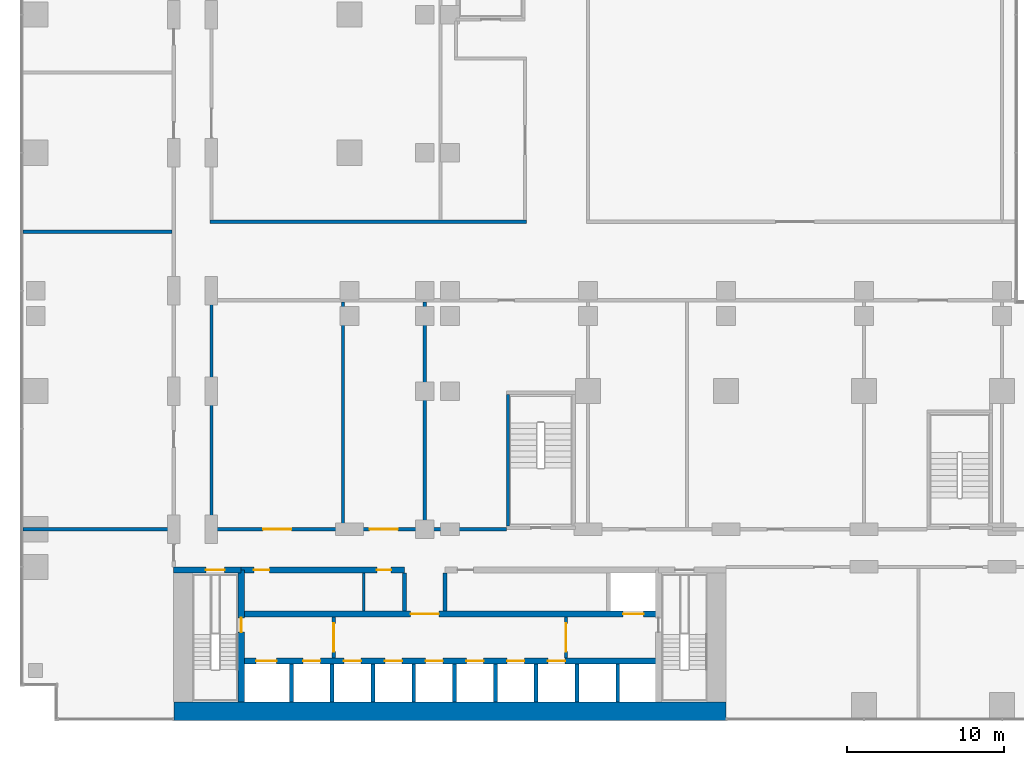
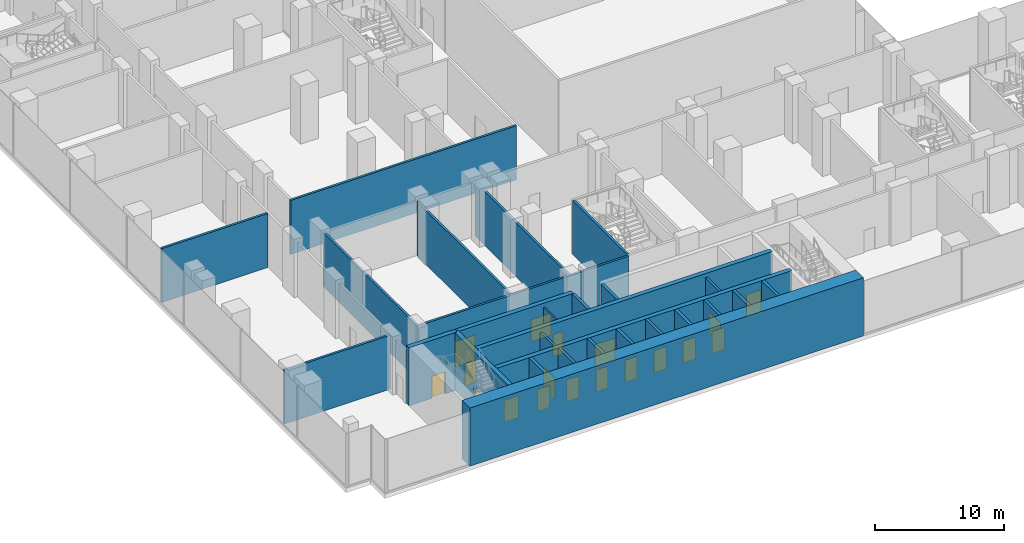
# One storey, part 18 of 30: 28 walls, 18 doors, 18 openings.
"""IFC4 building model written with IfcOpenShell, lengths in metres."""

from ifc_helpers import new_model, si_unit, direction, frame, frame_2d, origin, place, context, subcontext, project, spatial, rectangle, extrude, material, layer, layer_set, type_object, element, fill, save


model = new_model("IFC4")

# Units and contexts
model_context = context("Model", 3, precision=1e-05, world=origin(), true_north=direction((0.0, 1.0)))
body_context = subcontext(model_context, "Body", "Model", "MODEL_VIEW")
ifc_project = project(units=[si_unit("LENGTHUNIT", "METRE"), si_unit("AREAUNIT", "SQUARE_METRE"), si_unit("VOLUMEUNIT", "CUBIC_METRE"), si_unit("PLANEANGLEUNIT", "RADIAN"), si_unit("MASSUNIT", "GRAM", prefix="KILO")], contexts=[model_context])

# Site, building, storey
site_placement = place(None, origin())
site = spatial("IfcSite", under=ifc_project, at=site_placement, CompositionType="ELEMENT")
building_placement = place(site_placement, origin())
building = spatial("IfcBuilding", under=site, at=building_placement, Name="Kemantara Hotel Tower", CompositionType="ELEMENT")
storey_placement = place(building_placement, frame((0.0, 0.0, 18.0)))
storey = spatial("IfcBuildingStorey", under=building, at=storey_placement, Name="L03", CompositionType="ELEMENT", Elevation=18.0)

# Walls
ifc_material_1 = material(Name="Concrete fc 70 MPa", Category="concrete")
ifc_layer_1 = layer(ifc_material_1, 1.199951171875)
ifc_layer_set_1 = layer_set([ifc_layer_1], Name="Concrete fc 70 MPa")
wall_type_1 = type_object("IfcWallType", Name="CORE WALL 1200 FC70", PredefinedType="SHEAR", material=ifc_layer_set_1)
wall_1_placement = place(storey_placement, frame((9.800048828125, 0.60009765625, 0.0), z_axis=(0.0, 0.0, 1.0), x_axis=(1.0, 0.0, 0.0)))
element("IfcWall", 1, at=wall_1_placement, inside=storey, type_object=wall_type_1, Name="CORE WALL CW-S", PredefinedType="SHEAR", context=body_context, shape_type="SweptSolid", body=[
    extrude(rectangle(XDim=35.199951171875, YDim=1.199951171875, at=frame_2d((17.60009765625, 0.0))), origin(), (0.0, 0.0, 1.0), 5.5),
])
ifc_layer_2 = layer(ifc_material_1, 0.25)
ifc_layer_set_2 = layer_set([ifc_layer_2], Name="Concrete fc 70 MPa")
wall_type_2 = type_object("IfcWallType", Name="CORE WALL 250 FC70", PredefinedType="SHEAR", material=ifc_layer_set_2)
for number, where, z_axis, x_axis, name in (
    (2, (17.300048828125, 1.199951171875, 0.0), (0.0, 0.0, 1.0), (0.0, 1.0, 0.0), "CORE WALL CW-DS17.3"),
    (3, (19.89990234375, 1.199951171875, 0.0), (0.0, 0.0, 1.0), (0.0, 1.0, 0.0), "CORE WALL CW-DS19.9"),
    (4, (22.5, 1.199951171875, 0.0), (0.0, 0.0, 1.0), (0.0, 1.0, 0.0), "CORE WALL CW-DS22.5"),
    (5, (25.10009765625, 1.199951171875, 0.0), (0.0, 0.0, 1.0), (0.0, 1.0, 0.0), "CORE WALL CW-DS25.1"),
    (6, (27.699951171875, 1.199951171875, 0.0), (0.0, 0.0, 1.0), (0.0, 1.0, 0.0), "CORE WALL CW-DS27.7"),
    (7, (30.300048828125, 1.199951171875, 0.0), (0.0, 0.0, 1.0), (0.0, 1.0, 0.0), "CORE WALL CW-DS30.3"),
    (8, (32.89990234375, 1.199951171875, 0.0), (0.0, 0.0, 1.0), (0.0, 1.0, 0.0), "CORE WALL CW-DS32.9"),
    (9, (35.5, 1.199951171875, 0.0), (0.0, 0.0, 1.0), (0.0, 1.0, 0.0), "CORE WALL CW-DS35.5"),
    (10, (38.10009765625, 1.199951171875, 0.0), (0.0, 0.0, 1.0), (0.0, 1.0, 0.0), "CORE WALL CW-DS38.1"),
):
    element("IfcWall", number, at=place(storey_placement, frame(where, z_axis=z_axis, x_axis=x_axis)), inside=storey, type_object=wall_type_2, Name=name, PredefinedType="SHEAR", context=body_context, shape_type="SweptSolid", body=[
        extrude(rectangle(XDim=2.400146484375, YDim=0.25, at=frame_2d((1.2001953125, 0.0))), origin(), (0.0, 0.0, 1.0), 5.5),
    ])
for number, where, z_axis, x_axis, name in (
    (11, (24.5, 7.0, 0.0), (0.0, 0.0, 1.0), (0.0, 1.0, 0.0), "CORE WALL CW-DN24.5"),
    (12, (27.10009765625, 7.0, 0.0), (0.0, 0.0, 1.0), (0.0, 1.0, 0.0), "CORE WALL CW-DN27.1"),
):
    element("IfcWall", number, at=place(storey_placement, frame(where, z_axis=z_axis, x_axis=x_axis)), inside=storey, type_object=wall_type_2, Name=name, PredefinedType="SHEAR", context=body_context, shape_type="SweptSolid", body=[
        extrude(rectangle(XDim=2.39990234375, YDim=0.25, at=frame_2d((1.199951171875, 0.0))), origin(), (0.0, 0.0, 1.0), 5.5),
    ])

# Wall, opening, door
ifc_layer_3 = layer(ifc_material_1, 0.39990234375)
ifc_layer_set_3 = layer_set([ifc_layer_3], Name="Concrete fc 70 MPa")
wall_type_3 = type_object("IfcWallType", Name="CORE WALL 400 FC70", PredefinedType="SHEAR", material=ifc_layer_set_3)
wall_2_placement = place(storey_placement, frame((9.800048828125, 9.60009765625, 0.0), z_axis=(0.0, 0.0, 1.0), x_axis=(1.0, 0.0, 0.0)))
wall_2 = element("IfcWall", 13, at=wall_2_placement, inside=storey, type_object=wall_type_3, Name="CORE WALL CW-N1", PredefinedType="SHEAR", context=body_context, shape_type="SweptSolid", body=[
    extrude(rectangle(XDim=4.300048828125, YDim=0.39990234375, at=frame_2d((2.14990234375, 0.0))), origin(), (0.0, 0.0, 1.0), 5.5),
])
opening_1_placement = place(wall_2_placement, frame((2.050048828125, 0.0, 0.0)))
opening_1 = element("IfcOpeningElement", 14, at=opening_1_placement, cuts=wall_2, Name="Opening C06-ST1-C", PredefinedType="OPENING", context=body_context, shape_type="SweptSolid", body=[
    extrude(rectangle(XDim=1.199951171875, YDim=2.10009765625, at=frame_2d((0.60009765625, 1.050048828125))), frame((0.0, 0.2099609375, 0.0), z_axis=(0.0, -1.0, 0.0), x_axis=(1.0, 0.0, 0.0)), (0.0, 0.0, 1.0), 0.419921875),
])
ifc_material_2 = material(Name="Steel fire door", Category="steel")
door_type_1 = type_object("IfcDoorType", Name="Fire door FD90 1200 x 2100", OperationType="NOTDEFINED", PredefinedType="DOOR", material=ifc_material_2)
door_1_placement = place(opening_1_placement, frame((1.199951171875, 0.0, 0.0), z_axis=(0.0, 0.0, 1.0), x_axis=(-1.0, 0.0, 0.0)))
door_1 = element("IfcDoor", 15, at=door_1_placement, inside=storey, type_object=door_type_1, Name="Stair ST1 door to corridor", OperationType="SINGLE_SWING_LEFT", OverallHeight=2.10009765625, OverallWidth=1.199951171875, PredefinedType="DOOR", context=body_context, shape_type="SweptSolid", body=[
    extrude(rectangle(XDim=1.199951171875, YDim=2.10009765625, at=frame_2d((0.60009765625, 1.050048828125))), frame((0.0, 0.02490234375, 0.0), z_axis=(0.0, -1.0, 0.0), x_axis=(1.0, 0.0, 0.0)), (0.0, 0.0, 1.0), 0.050048828125),
])
fill(opening_1, door_1)

# Wall, openings, doors
wall_3_placement = place(storey_placement, frame((14.10009765625, 9.60009765625, 0.0), z_axis=(0.0, 0.0, 1.0), x_axis=(1.0, 0.0, 0.0)))
wall_3 = element("IfcWall", 16, at=wall_3_placement, inside=storey, type_object=wall_type_3, Name="CORE WALL CW-NN1", PredefinedType="SHEAR", context=body_context, shape_type="SweptSolid", body=[
    extrude(rectangle(XDim=10.39990234375, YDim=0.39990234375, at=frame_2d((5.199951171875, 0.0))), origin(), (0.0, 0.0, 1.0), 5.5),
])
opening_2_placement = place(wall_3_placement, frame((0.800048828125, 0.0, 0.0)))
opening_2 = element("IfcOpeningElement", 17, at=opening_2_placement, cuts=wall_3, Name="Opening C06-R-NW1", PredefinedType="OPENING", context=body_context, shape_type="SweptSolid", body=[
    extrude(rectangle(XDim=1.0, YDim=2.10009765625, at=frame_2d((0.5, 1.050048828125))), frame((0.0, 0.2099609375, 0.0), z_axis=(0.0, -1.0, 0.0), x_axis=(1.0, 0.0, 0.0)), (0.0, 0.0, 1.0), 0.419921875),
])
opening_3_placement = place(wall_3_placement, frame((8.64990234375, 0.0, 0.0)))
opening_3 = element("IfcOpeningElement", 18, at=opening_3_placement, cuts=wall_3, Name="Opening C06-R-NW2", PredefinedType="OPENING", context=body_context, shape_type="SweptSolid", body=[
    extrude(rectangle(XDim=0.89990234375, YDim=2.10009765625, at=frame_2d((0.449951171875, 1.050048828125))), frame((0.0, 0.2099609375, 0.0), z_axis=(0.0, -1.0, 0.0), x_axis=(1.0, 0.0, 0.0)), (0.0, 0.0, 1.0), 0.419921875),
])
door_type_2 = type_object("IfcDoorType", Name="Fire door FD30S 1000 x 2100", OperationType="NOTDEFINED", PredefinedType="DOOR", material=ifc_material_2)
door_2_placement = place(opening_2_placement, frame((1.0, 0.0, 0.0), z_axis=(0.0, 0.0, 1.0), x_axis=(-1.0, 0.0, 0.0)))
door_2 = element("IfcDoor", 19, at=door_2_placement, inside=storey, type_object=door_type_2, Name="Linen Store door", OperationType="SINGLE_SWING_RIGHT", OverallHeight=2.10009765625, OverallWidth=1.0, PredefinedType="DOOR", context=body_context, shape_type="SweptSolid", body=[
    extrude(rectangle(XDim=1.0, YDim=2.10009765625, at=frame_2d((0.5, 1.050048828125))), frame((0.0, 0.02490234375, 0.0), z_axis=(0.0, -1.0, 0.0), x_axis=(1.0, 0.0, 0.0)), (0.0, 0.0, 1.0), 0.050048828125),
])
fill(opening_2, door_2)
door_type_3 = type_object("IfcDoorType", Name="Fire door FD60 900 x 2100", OperationType="NOTDEFINED", PredefinedType="DOOR", material=ifc_material_2)
door_3_placement = place(opening_3_placement, frame((0.89990234375, 0.0, 0.0), z_axis=(0.0, 0.0, 1.0), x_axis=(-1.0, 0.0, 0.0)))
door_3 = element("IfcDoor", 20, at=door_3_placement, inside=storey, type_object=door_type_3, Name="It Equipment Room door", OperationType="SINGLE_SWING_LEFT", OverallHeight=2.10009765625, OverallWidth=0.89990234375, PredefinedType="DOOR", context=body_context, shape_type="SweptSolid", body=[
    extrude(rectangle(XDim=0.89990234375, YDim=2.10009765625, at=frame_2d((0.449951171875, 1.050048828125))), frame((0.0, 0.02490234375, 0.0), z_axis=(0.0, -1.0, 0.0), x_axis=(1.0, 0.0, 0.0)), (0.0, 0.0, 1.0), 0.050048828125),
])
fill(opening_3, door_3)

wall_4_placement = place(storey_placement, frame((14.10009765625, 3.800048828125, 0.0), z_axis=(0.0, 0.0, 1.0), x_axis=(1.0, 0.0, 0.0)))
wall_4 = element("IfcWall", 21, at=wall_4_placement, inside=storey, type_object=wall_type_3, Name="CORE WALL CW-L1", PredefinedType="SHEAR", context=body_context, shape_type="SweptSolid", body=[
    extrude(rectangle(XDim=26.599853515625, YDim=0.39990234375, at=frame_2d((13.2998046875, 0.0))), origin(), (0.0, 0.0, 1.0), 5.5),
])
opening_4_placement = place(wall_4_placement, frame((0.949951171875, 0.0, 0.0)))
opening_4 = element("IfcOpeningElement", 22, at=opening_4_placement, cuts=wall_4, Name="Opening C06-LD-FF1", PredefinedType="OPENING", context=body_context, shape_type="SweptSolid", body=[
    extrude(rectangle(XDim=1.300048828125, YDim=2.10009765625, at=frame_2d((0.64990234375, 1.050048828125))), frame((0.0, 0.2099609375, 0.0), z_axis=(0.0, -1.0, 0.0), x_axis=(1.0, 0.0, 0.0)), (0.0, 0.0, 1.0), 0.419921875),
])
opening_5_placement = place(wall_4_placement, frame((3.949951171875, 0.0, 0.0)))
opening_5 = element("IfcOpeningElement", 23, at=opening_5_placement, cuts=wall_4, Name="Opening C06-LD-SV1", PredefinedType="OPENING", context=body_context, shape_type="SweptSolid", body=[
    extrude(rectangle(XDim=1.10009765625, YDim=2.10009765625, at=frame_2d((0.550048828125, 1.050048828125))), frame((0.0, 0.2099609375, 0.0), z_axis=(0.0, -1.0, 0.0), x_axis=(1.0, 0.0, 0.0)), (0.0, 0.0, 1.0), 0.419921875),
])
opening_6_placement = place(wall_4_placement, frame((6.550048828125, 0.0, 0.0)))
opening_6 = element("IfcOpeningElement", 24, at=opening_6_placement, cuts=wall_4, Name="Opening C06-LD-SV2", PredefinedType="OPENING", context=body_context, shape_type="SweptSolid", body=[
    extrude(rectangle(XDim=1.10009765625, YDim=2.10009765625, at=frame_2d((0.550048828125, 1.050048828125))), frame((0.0, 0.2099609375, 0.0), z_axis=(0.0, -1.0, 0.0), x_axis=(1.0, 0.0, 0.0)), (0.0, 0.0, 1.0), 0.419921875),
])
opening_7_placement = place(wall_4_placement, frame((9.14990234375, 0.0, 0.0)))
opening_7 = element("IfcOpeningElement", 25, at=opening_7_placement, cuts=wall_4, Name="Opening C06-LD-SV3", PredefinedType="OPENING", context=body_context, shape_type="SweptSolid", body=[
    extrude(rectangle(XDim=1.10009765625, YDim=2.10009765625, at=frame_2d((0.550048828125, 1.050048828125))), frame((0.0, 0.2099609375, 0.0), z_axis=(0.0, -1.0, 0.0), x_axis=(1.0, 0.0, 0.0)), (0.0, 0.0, 1.0), 0.419921875),
])
opening_8_placement = place(wall_4_placement, frame((11.75, 0.0, 0.0)))
opening_8 = element("IfcOpeningElement", 26, at=opening_8_placement, cuts=wall_4, Name="Opening C06-LD-LR1", PredefinedType="OPENING", context=body_context, shape_type="SweptSolid", body=[
    extrude(rectangle(XDim=1.10009765625, YDim=2.10009765625, at=frame_2d((0.550048828125, 1.050048828125))), frame((0.0, 0.2099609375, 0.0), z_axis=(0.0, -1.0, 0.0), x_axis=(1.0, 0.0, 0.0)), (0.0, 0.0, 1.0), 0.419921875),
])
opening_9_placement = place(wall_4_placement, frame((14.35009765625, 0.0, 0.0)))
opening_9 = element("IfcOpeningElement", 27, at=opening_9_placement, cuts=wall_4, Name="Opening C06-LD-LR2", PredefinedType="OPENING", context=body_context, shape_type="SweptSolid", body=[
    extrude(rectangle(XDim=1.10009765625, YDim=2.10009765625, at=frame_2d((0.550048828125, 1.050048828125))), frame((0.0, 0.2099609375, 0.0), z_axis=(0.0, -1.0, 0.0), x_axis=(1.0, 0.0, 0.0)), (0.0, 0.0, 1.0), 0.419921875),
])
opening_10_placement = place(wall_4_placement, frame((16.949951171875, 0.0, 0.0)))
opening_10 = element("IfcOpeningElement", 28, at=opening_10_placement, cuts=wall_4, Name="Opening C06-LD-LR3", PredefinedType="OPENING", context=body_context, shape_type="SweptSolid", body=[
    extrude(rectangle(XDim=1.10009765625, YDim=2.10009765625, at=frame_2d((0.550048828125, 1.050048828125))), frame((0.0, 0.2099609375, 0.0), z_axis=(0.0, -1.0, 0.0), x_axis=(1.0, 0.0, 0.0)), (0.0, 0.0, 1.0), 0.419921875),
])
opening_11_placement = place(wall_4_placement, frame((19.550048828125, 0.0, 0.0)))
opening_11 = element("IfcOpeningElement", 29, at=opening_11_placement, cuts=wall_4, Name="Opening C06-LD-LR4", PredefinedType="OPENING", context=body_context, shape_type="SweptSolid", body=[
    extrude(rectangle(XDim=1.10009765625, YDim=2.10009765625, at=frame_2d((0.550048828125, 1.050048828125))), frame((0.0, 0.2099609375, 0.0), z_axis=(0.0, -1.0, 0.0), x_axis=(1.0, 0.0, 0.0)), (0.0, 0.0, 1.0), 0.419921875),
])
ifc_material_3 = material(Name="Stainless steel lift door", Category="steel")
door_type_4 = type_object("IfcDoorType", Name="Lift landing door 1100 x 2100 FD60", OperationType="DOUBLE_DOOR_SLIDING", PredefinedType="DOOR", material=ifc_material_3)
door_4_placement = place(opening_5_placement, origin())
door_4 = element("IfcDoor", 30, at=door_4_placement, inside=storey, type_object=door_type_4, Name="Lift SV1 landing door", OperationType="DOUBLE_DOOR_SLIDING", OverallHeight=2.10009765625, OverallWidth=1.10009765625, PredefinedType="DOOR", context=body_context, shape_type="SweptSolid", body=[
    extrude(rectangle(XDim=1.10009765625, YDim=2.10009765625, at=frame_2d((0.550048828125, 1.050048828125))), frame((0.0, 0.02490234375, 0.0), z_axis=(0.0, -1.0, 0.0), x_axis=(1.0, 0.0, 0.0)), (0.0, 0.0, 1.0), 0.050048828125),
])
fill(opening_5, door_4)
door_5_placement = place(opening_6_placement, origin())
door_5 = element("IfcDoor", 31, at=door_5_placement, inside=storey, type_object=door_type_4, Name="Lift SV2 landing door", OperationType="DOUBLE_DOOR_SLIDING", OverallHeight=2.10009765625, OverallWidth=1.10009765625, PredefinedType="DOOR", context=body_context, shape_type="SweptSolid", body=[
    extrude(rectangle(XDim=1.10009765625, YDim=2.10009765625, at=frame_2d((0.550048828125, 1.050048828125))), frame((0.0, 0.02490234375, 0.0), z_axis=(0.0, -1.0, 0.0), x_axis=(1.0, 0.0, 0.0)), (0.0, 0.0, 1.0), 0.050048828125),
])
fill(opening_6, door_5)
door_6_placement = place(opening_7_placement, origin())
door_6 = element("IfcDoor", 32, at=door_6_placement, inside=storey, type_object=door_type_4, Name="Lift SV3 landing door", OperationType="DOUBLE_DOOR_SLIDING", OverallHeight=2.10009765625, OverallWidth=1.10009765625, PredefinedType="DOOR", context=body_context, shape_type="SweptSolid", body=[
    extrude(rectangle(XDim=1.10009765625, YDim=2.10009765625, at=frame_2d((0.550048828125, 1.050048828125))), frame((0.0, 0.02490234375, 0.0), z_axis=(0.0, -1.0, 0.0), x_axis=(1.0, 0.0, 0.0)), (0.0, 0.0, 1.0), 0.050048828125),
])
fill(opening_7, door_6)
door_7_placement = place(opening_8_placement, origin())
door_7 = element("IfcDoor", 33, at=door_7_placement, inside=storey, type_object=door_type_4, Name="Lift LR1 landing door", OperationType="DOUBLE_DOOR_SLIDING", OverallHeight=2.10009765625, OverallWidth=1.10009765625, PredefinedType="DOOR", context=body_context, shape_type="SweptSolid", body=[
    extrude(rectangle(XDim=1.10009765625, YDim=2.10009765625, at=frame_2d((0.550048828125, 1.050048828125))), frame((0.0, 0.02490234375, 0.0), z_axis=(0.0, -1.0, 0.0), x_axis=(1.0, 0.0, 0.0)), (0.0, 0.0, 1.0), 0.050048828125),
])
fill(opening_8, door_7)
door_8_placement = place(opening_9_placement, origin())
door_8 = element("IfcDoor", 34, at=door_8_placement, inside=storey, type_object=door_type_4, Name="Lift LR2 landing door", OperationType="DOUBLE_DOOR_SLIDING", OverallHeight=2.10009765625, OverallWidth=1.10009765625, PredefinedType="DOOR", context=body_context, shape_type="SweptSolid", body=[
    extrude(rectangle(XDim=1.10009765625, YDim=2.10009765625, at=frame_2d((0.550048828125, 1.050048828125))), frame((0.0, 0.02490234375, 0.0), z_axis=(0.0, -1.0, 0.0), x_axis=(1.0, 0.0, 0.0)), (0.0, 0.0, 1.0), 0.050048828125),
])
fill(opening_9, door_8)
door_9_placement = place(opening_10_placement, origin())
door_9 = element("IfcDoor", 35, at=door_9_placement, inside=storey, type_object=door_type_4, Name="Lift LR3 landing door", OperationType="DOUBLE_DOOR_SLIDING", OverallHeight=2.10009765625, OverallWidth=1.10009765625, PredefinedType="DOOR", context=body_context, shape_type="SweptSolid", body=[
    extrude(rectangle(XDim=1.10009765625, YDim=2.10009765625, at=frame_2d((0.550048828125, 1.050048828125))), frame((0.0, 0.02490234375, 0.0), z_axis=(0.0, -1.0, 0.0), x_axis=(1.0, 0.0, 0.0)), (0.0, 0.0, 1.0), 0.050048828125),
])
fill(opening_10, door_9)
door_10_placement = place(opening_11_placement, origin())
door_10 = element("IfcDoor", 36, at=door_10_placement, inside=storey, type_object=door_type_4, Name="Lift LR4 landing door", OperationType="DOUBLE_DOOR_SLIDING", OverallHeight=2.10009765625, OverallWidth=1.10009765625, PredefinedType="DOOR", context=body_context, shape_type="SweptSolid", body=[
    extrude(rectangle(XDim=1.10009765625, YDim=2.10009765625, at=frame_2d((0.550048828125, 1.050048828125))), frame((0.0, 0.02490234375, 0.0), z_axis=(0.0, -1.0, 0.0), x_axis=(1.0, 0.0, 0.0)), (0.0, 0.0, 1.0), 0.050048828125),
])
fill(opening_11, door_10)
door_type_5 = type_object("IfcDoorType", Name="Lift landing door 1300 x 2100 FD90", OperationType="DOUBLE_DOOR_SLIDING", PredefinedType="DOOR", material=ifc_material_3)
door_11_placement = place(opening_4_placement, origin())
door_11 = element("IfcDoor", 37, at=door_11_placement, inside=storey, type_object=door_type_5, Name="Lift FF1 landing door", OperationType="DOUBLE_DOOR_SLIDING", OverallHeight=2.10009765625, OverallWidth=1.300048828125, PredefinedType="DOOR", context=body_context, shape_type="SweptSolid", body=[
    extrude(rectangle(XDim=1.300048828125, YDim=2.10009765625, at=frame_2d((0.64990234375, 1.050048828125))), frame((0.0, 0.02490234375, 0.0), z_axis=(0.0, -1.0, 0.0), x_axis=(1.0, 0.0, 0.0)), (0.0, 0.0, 1.0), 0.050048828125),
])
fill(opening_4, door_11)

wall_5_placement = place(storey_placement, frame((14.10009765625, 6.800048828125, 0.0), z_axis=(0.0, 0.0, 1.0), x_axis=(1.0, 0.0, 0.0)))
wall_5 = element("IfcWall", 38, at=wall_5_placement, inside=storey, type_object=wall_type_3, Name="CORE WALL CW-L2", PredefinedType="SHEAR", context=body_context, shape_type="SweptSolid", body=[
    extrude(rectangle(XDim=26.599853515625, YDim=0.39990234375, at=frame_2d((13.2998046875, 0.0))), origin(), (0.0, 0.0, 1.0), 5.5),
])
opening_12_placement = place(wall_5_placement, frame((10.800048828125, 0.0, 0.0)))
opening_12 = element("IfcOpeningElement", 39, at=opening_12_placement, cuts=wall_5, Name="Opening C06-VL", PredefinedType="OPENING", context=body_context, shape_type="SweptSolid", body=[
    extrude(rectangle(XDim=1.800048828125, YDim=2.10009765625, at=frame_2d((0.89990234375, 1.050048828125))), frame((0.0, 0.2099609375, 0.0), z_axis=(0.0, -1.0, 0.0), x_axis=(1.0, 0.0, 0.0)), (0.0, 0.0, 1.0), 0.419921875),
])
opening_13_placement = place(wall_5_placement, frame((24.35009765625, 0.0, 0.0)))
opening_13 = element("IfcOpeningElement", 40, at=opening_13_placement, cuts=wall_5, Name="Opening C06-LD-FF2", PredefinedType="OPENING", context=body_context, shape_type="SweptSolid", body=[
    extrude(rectangle(XDim=1.300048828125, YDim=2.10009765625, at=frame_2d((0.64990234375, 1.050048828125))), frame((0.0, 0.2099609375, 0.0), z_axis=(0.0, -1.0, 0.0), x_axis=(1.0, 0.0, 0.0)), (0.0, 0.0, 1.0), 0.419921875),
])
door_type_6 = type_object("IfcDoorType", Name="Fire door pair FD60 1800 x 2100", OperationType="DOUBLE_DOOR_SINGLE_SWING", PredefinedType="DOOR", material=ifc_material_2)
door_12_placement = place(opening_12_placement, frame((1.800048828125, 0.0, 0.0), z_axis=(0.0, 0.0, 1.0), x_axis=(-1.0, 0.0, 0.0)))
door_12 = element("IfcDoor", 41, at=door_12_placement, inside=storey, type_object=door_type_6, Name="Lift lobby entry door", OperationType="DOUBLE_DOOR_SINGLE_SWING", OverallHeight=2.10009765625, OverallWidth=1.800048828125, PredefinedType="DOOR", context=body_context, shape_type="SweptSolid", body=[
    extrude(rectangle(XDim=1.800048828125, YDim=2.10009765625, at=frame_2d((0.89990234375, 1.050048828125))), frame((0.0, 0.02490234375, 0.0), z_axis=(0.0, -1.0, 0.0), x_axis=(1.0, 0.0, 0.0)), (0.0, 0.0, 1.0), 0.050048828125),
])
fill(opening_12, door_12)
door_13_placement = place(opening_13_placement, origin())
door_13 = element("IfcDoor", 42, at=door_13_placement, inside=storey, type_object=door_type_5, Name="Lift FF2 landing door", OperationType="DOUBLE_DOOR_SLIDING", OverallHeight=2.10009765625, OverallWidth=1.300048828125, PredefinedType="DOOR", context=body_context, shape_type="SweptSolid", body=[
    extrude(rectangle(XDim=1.300048828125, YDim=2.10009765625, at=frame_2d((0.64990234375, 1.050048828125))), frame((0.0, 0.02490234375, 0.0), z_axis=(0.0, -1.0, 0.0), x_axis=(1.0, 0.0, 0.0)), (0.0, 0.0, 1.0), 0.050048828125),
])
fill(opening_13, door_13)

# Wall, opening, door
wall_6_placement = place(storey_placement, frame((14.10009765625, 1.199951171875, 0.0), z_axis=(0.0, 0.0, 1.0), x_axis=(0.0, 1.0, 0.0)))
wall_6 = element("IfcWall", 43, at=wall_6_placement, inside=storey, type_object=wall_type_3, Name="CORE WALL CW-ST1E", PredefinedType="SHEAR", context=body_context, shape_type="SweptSolid", body=[
    extrude(rectangle(XDim=8.400146484375, YDim=0.39990234375, at=frame_2d((4.2001953125, 0.0))), origin(), (0.0, 0.0, 1.0), 5.5),
])
opening_14_placement = place(wall_6_placement, frame((4.449951171875, 0.0, 0.0)))
opening_14 = element("IfcOpeningElement", 44, at=opening_14_placement, cuts=wall_6, Name="Opening C06-ST1-F", PredefinedType="OPENING", context=body_context, shape_type="SweptSolid", body=[
    extrude(rectangle(XDim=0.89990234375, YDim=2.10009765625, at=frame_2d((0.449951171875, 1.050048828125))), frame((0.0, 0.2099609375, 0.0), z_axis=(0.0, -1.0, 0.0), x_axis=(1.0, 0.0, 0.0)), (0.0, 0.0, 1.0), 0.419921875),
])
door_type_7 = type_object("IfcDoorType", Name="Fire door FD90 900 x 2100", OperationType="NOTDEFINED", PredefinedType="DOOR", material=ifc_material_2)
door_14_placement = place(opening_14_placement, origin())
door_14 = element("IfcDoor", 45, at=door_14_placement, inside=storey, type_object=door_type_7, Name="Stair ST1 door to firefighting lobby", OperationType="SINGLE_SWING_RIGHT", OverallHeight=2.10009765625, OverallWidth=0.89990234375, PredefinedType="DOOR", context=body_context, shape_type="SweptSolid", body=[
    extrude(rectangle(XDim=0.89990234375, YDim=2.10009765625, at=frame_2d((0.449951171875, 1.050048828125))), frame((0.0, 0.02490234375, 0.0), z_axis=(0.0, -1.0, 0.0), x_axis=(1.0, 0.0, 0.0)), (0.0, 0.0, 1.0), 0.050048828125),
])
fill(opening_14, door_14)

# Walls
ifc_material_4 = material(Name="Concrete fc 40 MPa", Category="concrete")
ifc_layer_4 = layer(ifc_material_4, 0.199951171875)
ifc_layer_set_4 = layer_set([ifc_layer_4], Name="Concrete fc 40 MPa")
wall_type_4 = type_object("IfcWallType", Name="Concrete stair wall 200 mm", PredefinedType="SHEAR", material=ifc_layer_set_4)
wall_7_placement = place(storey_placement, frame((31.10009765625, 12.39990234375, 0.0), z_axis=(0.0, 0.0, 1.0), x_axis=(0.0, 1.0, 0.0)))
element("IfcWall", 46, at=wall_7_placement, inside=storey, type_object=wall_type_4, Name="Stair PS3 enclosure wall W", PredefinedType="SHEAR", context=body_context, shape_type="SweptSolid", body=[
    extrude(rectangle(XDim=8.400146484375, YDim=0.199951171875, at=frame_2d((4.2001953125, 0.0))), origin(), (0.0, 0.0, 1.0), 5.10009765625),
])
ifc_material_5 = material(Name="Clay brick masonry", Category="masonry")
ifc_layer_5 = layer(ifc_material_5, 0.199951171875)
ifc_layer_set_5 = layer_set([ifc_layer_5], Name="Clay brick masonry")
wall_type_5 = type_object("IfcWallType", Name="FIRE-RATED CLAY BRICK WALL 200 EI 120", PredefinedType="PARTITIONING", material=ifc_layer_set_5)
wall_8_placement = place(storey_placement, frame((0.199951171875, 12.199951171875, 0.0), z_axis=(0.0, 0.0, 1.0), x_axis=(1.0, 0.0, 0.0)))
element("IfcWall", 47, at=wall_8_placement, inside=storey, type_object=wall_type_5, Name="FIRE WALL", PredefinedType="PARTITIONING", context=body_context, shape_type="SweptSolid", body=[
    extrude(rectangle(XDim=9.5, YDim=0.199951171875, at=frame_2d((4.75, 0.0))), origin(), (0.0, 0.0, 1.0), 5.10009765625),
])

# Wall, openings, doors
ifc_material_6 = material(Name="Fire-rated gypsum board partition")
ifc_layer_6 = layer(ifc_material_6, 0.199951171875)
ifc_layer_set_6 = layer_set([ifc_layer_6], Name="Fire-rated gypsum board partition")
wall_type_6 = type_object("IfcWallType", Name="FIRE-RATED GYPSUM PARTITION 200 EI 60", PredefinedType="PARTITIONING", material=ifc_layer_set_6)
wall_9_placement = place(storey_placement, frame((12.10009765625, 12.199951171875, 0.0), z_axis=(0.0, 0.0, 1.0), x_axis=(1.0, 0.0, 0.0)))
wall_9 = element("IfcWall", 48, at=wall_9_placement, inside=storey, type_object=wall_type_6, Name="FIRE-RATED PARTITION", PredefinedType="PARTITIONING", context=body_context, shape_type="SweptSolid", body=[
    extrude(rectangle(XDim=18.89990234375, YDim=0.199951171875, at=frame_2d((9.449951171875, 0.0))), origin(), (0.0, 0.0, 1.0), 5.10009765625),
])
opening_15_placement = place(wall_9_placement, frame((3.389892578125, 0.0, 0.0)))
opening_15 = element("IfcOpeningElement", 49, at=opening_15_placement, cuts=wall_9, Name="Opening L03-B020", PredefinedType="OPENING", context=body_context, shape_type="SweptSolid", body=[
    extrude(rectangle(XDim=1.800048828125, YDim=2.39990234375, at=frame_2d((0.89990234375, 1.199951171875))), frame((0.0, 0.10986328125, 0.0), z_axis=(0.0, -1.0, 0.0), x_axis=(1.0, 0.0, 0.0)), (0.0, 0.0, 1.0), 0.219970703125),
])
opening_16_placement = place(wall_9_placement, frame((10.18994140625, 0.0, 0.0)))
opening_16 = element("IfcOpeningElement", 50, at=opening_16_placement, cuts=wall_9, Name="Opening L03-B021", PredefinedType="OPENING", context=body_context, shape_type="SweptSolid", body=[
    extrude(rectangle(XDim=1.800048828125, YDim=2.10009765625, at=frame_2d((0.89990234375, 1.050048828125))), frame((0.0, 0.10986328125, 0.0), z_axis=(0.0, -1.0, 0.0), x_axis=(1.0, 0.0, 0.0)), (0.0, 0.0, 1.0), 0.219970703125),
])
ifc_material_7 = material(Name="Timber veneer door leaf", Category="wood")
door_type_8 = type_object("IfcDoorType", Name="DOUBLE LEAF TIMBER DOOR 1800 X 2100", OperationType="DOUBLE_DOOR_SINGLE_SWING", PredefinedType="DOOR", material=ifc_material_7)
door_15_placement = place(opening_16_placement, frame((1.800048828125, 0.0, 0.0), z_axis=(0.0, 0.0, 1.0), x_axis=(-1.0, 0.0, 0.0)))
door_15 = element("IfcDoor", 51, at=door_15_placement, inside=storey, type_object=door_type_8, Name="DOUBLE LEAF TIMBER DOOR", OperationType="DOUBLE_DOOR_SINGLE_SWING", OverallHeight=2.10009765625, OverallWidth=1.800048828125, PredefinedType="DOOR", context=body_context, shape_type="SweptSolid", body=[
    extrude(rectangle(XDim=1.800048828125, YDim=2.10009765625, at=frame_2d((0.89990234375, 1.050048828125))), frame((0.0, 0.02490234375, 0.0), z_axis=(0.0, -1.0, 0.0), x_axis=(1.0, 0.0, 0.0)), (0.0, 0.0, 1.0), 0.050048828125),
])
fill(opening_16, door_15)
ifc_material_8 = material(Name="Toughened glass door leaf", Category="glass")
door_type_9 = type_object("IfcDoorType", Name="GLAZED DOUBLE DOOR 1800 X 2400", OperationType="DOUBLE_DOOR_SINGLE_SWING", PredefinedType="DOOR", material=ifc_material_8)
door_16_placement = place(opening_15_placement, frame((1.800048828125, 0.0, 0.0), z_axis=(0.0, 0.0, 1.0), x_axis=(-1.0, 0.0, 0.0)))
door_16 = element("IfcDoor", 52, at=door_16_placement, inside=storey, type_object=door_type_9, Name="GLAZED DOUBLE DOOR", OperationType="DOUBLE_DOOR_SINGLE_SWING", OverallHeight=2.39990234375, OverallWidth=1.800048828125, PredefinedType="DOOR", context=body_context, shape_type="SweptSolid", body=[
    extrude(rectangle(XDim=1.800048828125, YDim=2.39990234375, at=frame_2d((0.89990234375, 1.199951171875))), frame((0.0, 0.02490234375, 0.0), z_axis=(0.0, -1.0, 0.0), x_axis=(1.0, 0.0, 0.0)), (0.0, 0.0, 1.0), 0.050048828125),
])
fill(opening_15, door_16)

# Walls
wall_10_placement = place(storey_placement, frame((12.199951171875, 12.300048828125, 0.0), z_axis=(0.0, 0.0, 1.0), x_axis=(0.0, 1.0, 0.0)))
element("IfcWall", 53, at=wall_10_placement, inside=storey, type_object=wall_type_6, Name="FIRE-RATED PARTITION", PredefinedType="PARTITIONING", context=body_context, shape_type="SweptSolid", body=[
    extrude(rectangle(XDim=14.39990234375, YDim=0.199951171875, at=frame_2d((7.199951171875, 0.0))), origin(), (0.0, 0.0, 1.0), 5.10009765625),
])
ifc_material_9 = material(Name="Gypsum board partition")
ifc_layer_7 = layer(ifc_material_9, 0.199951171875)
ifc_layer_set_7 = layer_set([ifc_layer_7], Name="Gypsum board partition")
wall_type_7 = type_object("IfcWallType", Name="GYPSUM BOARD PARTITION 200", PredefinedType="PARTITIONING", material=ifc_layer_set_7)
wall_11_placement = place(storey_placement, frame((12.10009765625, 31.800048828125, 0.0), z_axis=(0.0, 0.0, 1.0), x_axis=(1.0, 0.0, 0.0)))
element("IfcWall", 54, at=wall_11_placement, inside=storey, type_object=wall_type_7, Name="PARTITION", PredefinedType="PARTITIONING", context=body_context, shape_type="SweptSolid", body=[
    extrude(rectangle(XDim=20.199951171875, YDim=0.199951171875, at=frame_2d((10.10009765625, 0.0))), origin(), (0.0, 0.0, 1.0), 5.10009765625),
])
wall_12_placement = place(storey_placement, frame((0.199951171875, 31.159912109375, 0.0), z_axis=(0.0, 0.0, 1.0), x_axis=(1.0, 0.0, 0.0)))
element("IfcWall", 55, at=wall_12_placement, inside=storey, type_object=wall_type_7, Name="PARTITION", PredefinedType="PARTITIONING", context=body_context, shape_type="SweptSolid", body=[
    extrude(rectangle(XDim=9.5, YDim=0.199951171875, at=frame_2d((4.75, 0.0))), origin(), (0.0, 0.0, 1.0), 5.10009765625),
])
for number, where, z_axis, x_axis, name in (
    (56, (20.580078125, 12.300048828125, 0.0), (0.0, 0.0, 1.0), (0.0, 1.0, 0.0), "PARTITION"),
    (57, (25.800048828125, 12.300048828125, 0.0), (0.0, 0.0, 1.0), (0.0, 1.0, 0.0), "PARTITION"),
):
    element("IfcWall", number, at=place(storey_placement, frame(where, z_axis=z_axis, x_axis=x_axis)), inside=storey, type_object=wall_type_7, Name=name, PredefinedType="PARTITIONING", context=body_context, shape_type="SweptSolid", body=[
        extrude(rectangle(XDim=14.39990234375, YDim=0.199951171875, at=frame_2d((7.199951171875, 0.0))), origin(), (0.0, 0.0, 1.0), 5.10009765625),
    ])
ifc_layer_8 = layer(ifc_material_9, 0.14990234375)
ifc_layer_set_8 = layer_set([ifc_layer_8], Name="Gypsum board partition")
wall_type_8 = type_object("IfcWallType", Name="Gypsum board partition 150 mm", PredefinedType="PARTITIONING", material=ifc_layer_set_8)
wall_13_placement = place(storey_placement, frame((21.89990234375, 7.0, 0.0), z_axis=(0.0, 0.0, 1.0), x_axis=(0.0, 1.0, 0.0)))
element("IfcWall", 58, at=wall_13_placement, inside=storey, type_object=wall_type_8, Name="Core room partition", PredefinedType="PARTITIONING", context=body_context, shape_type="SweptSolid", body=[
    extrude(rectangle(XDim=2.39990234375, YDim=0.14990234375, at=frame_2d((1.199951171875, 0.0))), origin(), (0.0, 0.0, 1.0), 5.10009765625),
])

# Wall, opening, door
ifc_material_10 = material(Name="Gypsum board shaft wall")
ifc_layer_9 = layer(ifc_material_10, 0.199951171875)
ifc_layer_set_9 = layer_set([ifc_layer_9], Name="Gypsum board shaft wall")
wall_type_9 = type_object("IfcWallType", Name="Gypsum board shaft wall 200 mm", PredefinedType="PARTITIONING", material=ifc_layer_set_9)
wall_14_placement = place(storey_placement, frame((20.0, 4.0, 0.0), z_axis=(0.0, 0.0, 1.0), x_axis=(0.0, 1.0, 0.0)))
wall_14 = element("IfcWall", 59, at=wall_14_placement, inside=storey, type_object=wall_type_9, Name="Firefighting lobby partition west", PredefinedType="PARTITIONING", context=body_context, shape_type="SweptSolid", body=[
    extrude(rectangle(XDim=2.60009765625, YDim=0.199951171875, at=frame_2d((1.300048828125, 0.0))), origin(), (0.0, 0.0, 1.0), 5.10009765625),
])
opening_17_placement = place(wall_14_placement, frame((0.39990234375, 0.0, 0.0)))
opening_17 = element("IfcOpeningElement", 60, at=opening_17_placement, cuts=wall_14, Name="Opening C06-FFW", PredefinedType="OPENING", context=body_context, shape_type="SweptSolid", body=[
    extrude(rectangle(XDim=1.800048828125, YDim=2.10009765625, at=frame_2d((0.89990234375, 1.050048828125))), frame((0.0, 0.10986328125, 0.0), z_axis=(0.0, -1.0, 0.0), x_axis=(1.0, 0.0, 0.0)), (0.0, 0.0, 1.0), 0.219970703125),
])
door_17_placement = place(opening_17_placement, origin())
door_17 = element("IfcDoor", 61, at=door_17_placement, inside=storey, type_object=door_type_6, Name="Firefighting lobby door west", OperationType="DOUBLE_DOOR_SINGLE_SWING", OverallHeight=2.10009765625, OverallWidth=1.800048828125, PredefinedType="DOOR", context=body_context, shape_type="SweptSolid", body=[
    extrude(rectangle(XDim=1.800048828125, YDim=2.10009765625, at=frame_2d((0.89990234375, 1.050048828125))), frame((0.0, 0.02490234375, 0.0), z_axis=(0.0, -1.0, 0.0), x_axis=(1.0, 0.0, 0.0)), (0.0, 0.0, 1.0), 0.050048828125),
])
fill(opening_17, door_17)

wall_15_placement = place(storey_placement, frame((34.800048828125, 4.0, 0.0), z_axis=(0.0, 0.0, 1.0), x_axis=(0.0, 1.0, 0.0)))
wall_15 = element("IfcWall", 62, at=wall_15_placement, inside=storey, type_object=wall_type_9, Name="Firefighting lobby partition east", PredefinedType="PARTITIONING", context=body_context, shape_type="SweptSolid", body=[
    extrude(rectangle(XDim=2.60009765625, YDim=0.199951171875, at=frame_2d((1.300048828125, 0.0))), origin(), (0.0, 0.0, 1.0), 5.10009765625),
])
opening_18_placement = place(wall_15_placement, frame((0.39990234375, 0.0, 0.0)))
opening_18 = element("IfcOpeningElement", 63, at=opening_18_placement, cuts=wall_15, Name="Opening C06-FFE", PredefinedType="OPENING", context=body_context, shape_type="SweptSolid", body=[
    extrude(rectangle(XDim=1.800048828125, YDim=2.10009765625, at=frame_2d((0.89990234375, 1.050048828125))), frame((0.0, 0.10986328125, 0.0), z_axis=(0.0, -1.0, 0.0), x_axis=(1.0, 0.0, 0.0)), (0.0, 0.0, 1.0), 0.219970703125),
])
door_18_placement = place(opening_18_placement, frame((1.800048828125, 0.0, 0.0), z_axis=(0.0, 0.0, 1.0), x_axis=(-1.0, 0.0, 0.0)))
door_18 = element("IfcDoor", 64, at=door_18_placement, inside=storey, type_object=door_type_6, Name="Firefighting lobby door east", OperationType="DOUBLE_DOOR_SINGLE_SWING", OverallHeight=2.10009765625, OverallWidth=1.800048828125, PredefinedType="DOOR", context=body_context, shape_type="SweptSolid", body=[
    extrude(rectangle(XDim=1.800048828125, YDim=2.10009765625, at=frame_2d((0.89990234375, 1.050048828125))), frame((0.0, 0.02490234375, 0.0), z_axis=(0.0, -1.0, 0.0), x_axis=(1.0, 0.0, 0.0)), (0.0, 0.0, 1.0), 0.050048828125),
])
fill(opening_18, door_18)

save(model, "model.ifc")
